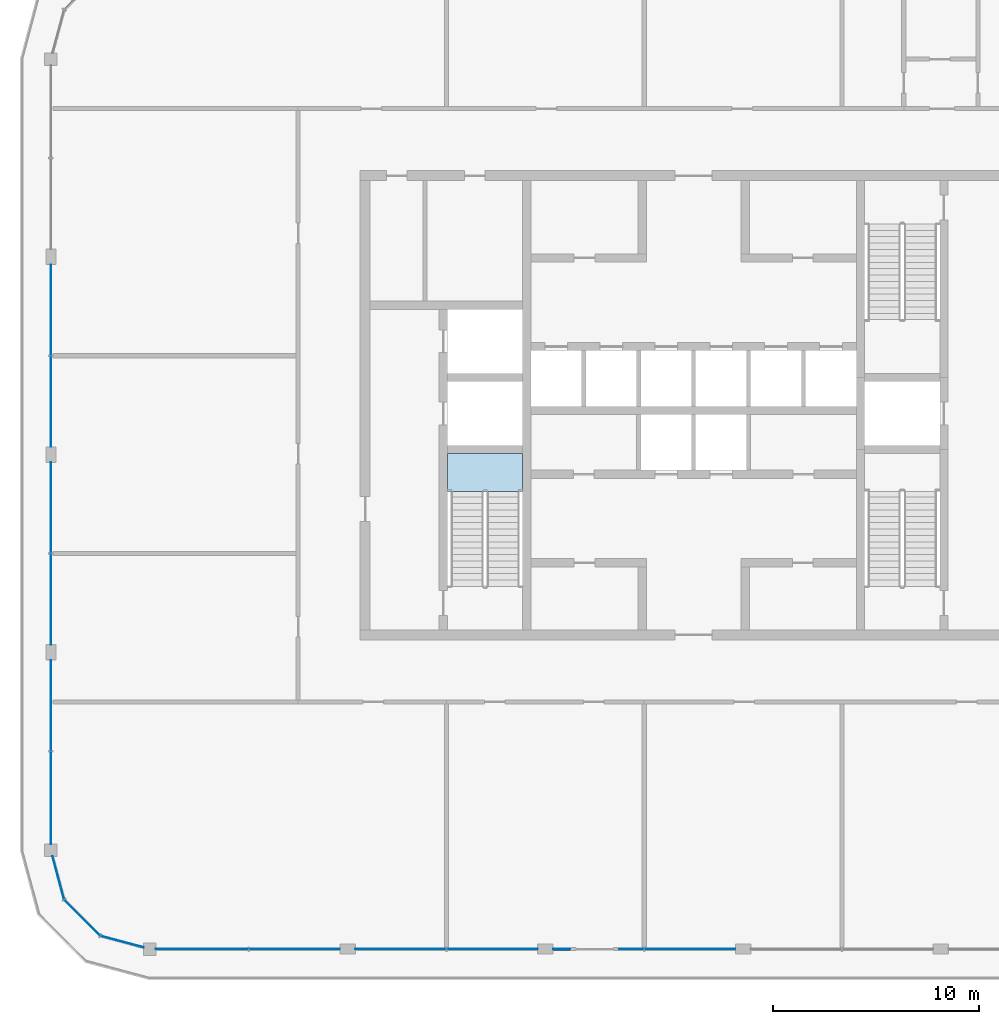
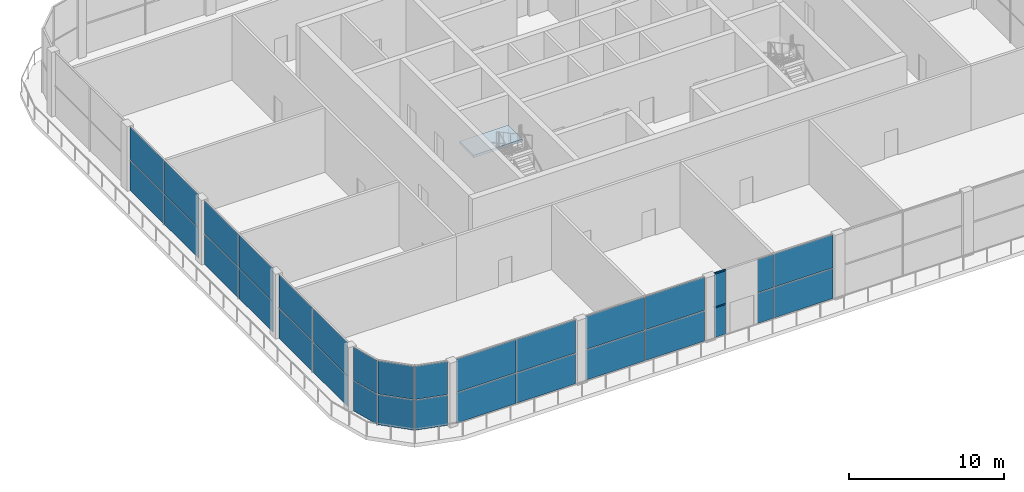
# One storey, part 7 of 15: 32 plates, 2 members, 1 slab, 8 elements without a shape of their own.
"""IFC4 building model written with IfcOpenShell, lengths in metres."""

from ifc_helpers import new_model, si_unit, direction, frame, origin, origin_2d, place, context, subcontext, project, spatial, polyline, rectangle, outline, extrude, material, layer, layer_set, material_profile, profile_set, type_object, element, aggregate, save


model = new_model("IFC4")

# Units and contexts
model_context = context("Model", 3, precision=1e-05, world=origin(), true_north=direction((0.0, 1.0)))
body_context = subcontext(model_context, "Body", "Model", "MODEL_VIEW")
ifc_project = project(units=[si_unit("LENGTHUNIT", "METRE"), si_unit("AREAUNIT", "SQUARE_METRE"), si_unit("VOLUMEUNIT", "CUBIC_METRE"), si_unit("PLANEANGLEUNIT", "RADIAN"), si_unit("MASSUNIT", "GRAM", prefix="KILO")], contexts=[model_context])

# Site, building, storey
site_placement = place(None, origin())
site = spatial("IfcSite", under=ifc_project, at=site_placement, CompositionType="ELEMENT")
building_placement = place(site_placement, origin())
building = spatial("IfcBuilding", under=site, at=building_placement, Name="Madar Terraces", CompositionType="ELEMENT")
storey_placement = place(building_placement, frame((0.0, 0.0, 286.10009765625)))
storey = spatial("IfcBuildingStorey", under=building, at=storey_placement, Name="L75", CompositionType="ELEMENT", Elevation=286.10009765625)

# Curtain wall, members
ifc_material_1 = material(Name="Glass, clear low-iron, with black aluminium frame", Category="aluminium")
ifc_layer_1 = layer(ifc_material_1, 0.199951171875)
ifc_layer_set_1 = layer_set([ifc_layer_1], Name="Facade curtain wall, observation glazing")
curtain_wall_type = type_object("IfcCurtainWallType", Name="Facade curtain wall, observation glazing", PredefinedType="NOTDEFINED", material=ifc_layer_set_1)
curtain_wall_1_placement = place(storey_placement, origin())
curtain_wall_1 = element("IfcCurtainWall", 1, at=curtain_wall_1_placement, inside=storey, type_object=curtain_wall_type, Name="Outer skin curtain wall south bay 3", PredefinedType="NOTDEFINED")
ifc_material_2 = material(Name="Aluminium, black anodised", Category="aluminium")
ifc_material_profile = material_profile(ifc_material_2, rectangle(XDim=0.1201171875, YDim=0.06005859375, at=origin_2d()), Name="Facade transom 60x120")
ifc_profile_set = profile_set([ifc_material_profile], Name="Aluminium, black anodised")
member_type = type_object("IfcMemberType", Name="Facade transom 60x120", PredefinedType="USERDEFINED", material=ifc_profile_set)
member_1_placement = place(storey_placement, frame((24.375, 0.0, 5.06982421875), z_axis=(1.0, 0.0, 0.0), x_axis=(0.0, 1.0, 0.0)))
member_1 = element("IfcMember", 2, at=member_1_placement, type_object=member_type, Name="Transom 1", ObjectType="TRANSOM", PredefinedType="USERDEFINED", context=body_context, shape_type="SweptSolid", body=[
    extrude(rectangle(XDim=0.1201171875, YDim=0.06005859375, at=origin_2d()), origin(), (0.0, 0.0, 1.0), 0.824951171875),
])
member_2_placement = place(storey_placement, frame((24.375, 0.0, 2.39990234375), z_axis=(1.0, 0.0, 0.0), x_axis=(0.0, 1.0, 0.0)))
member_2 = element("IfcMember", 3, at=member_2_placement, type_object=member_type, Name="Transom 2", ObjectType="TRANSOM", PredefinedType="USERDEFINED", context=body_context, shape_type="SweptSolid", body=[
    extrude(rectangle(XDim=0.1201171875, YDim=0.06005859375, at=origin_2d()), origin(), (0.0, 0.0, 1.0), 0.824951171875),
])

# Curtain wall, plates
curtain_wall_2_placement = place(storey_placement, origin())
curtain_wall_2 = element("IfcCurtainWall", 4, at=curtain_wall_2_placement, inside=storey, type_object=curtain_wall_type, Name="Outer skin curtain wall south bay 1", PredefinedType="NOTDEFINED")
ifc_material_3 = material(Name="Glass, ceramic frit dark grey", Category="glass")
ifc_layer_2 = layer(ifc_material_3, 0.028076171875)
ifc_layer_set_2 = layer_set([ifc_layer_2], Name="Facade glass panel 28")
plate_type = type_object("IfcPlateType", Name="Facade glass panel 28", PredefinedType="CURTAIN_PANEL", material=ifc_layer_set_2)
plate_1_placement = place(storey_placement, frame((7.3349609375, 0.0, -0.000244140625), z_axis=(0.0, 0.0, 1.0), x_axis=(1.0, 0.0, 0.0)))
plate_1 = element("IfcPlate", 5, at=plate_1_placement, type_object=plate_type, Name="Panel 1", PredefinedType="CURTAIN_PANEL", context=body_context, shape_type="SweptSolid", body=[
    extrude(rectangle(XDim=4.469970703125, YDim=0.028076171875, at=origin_2d()), origin(), (0.0, 0.0, 1.0), 2.3701171875),
])
plate_2_placement = place(storey_placement, frame((7.3349609375, 0.0, 2.4296875), z_axis=(0.0, 0.0, 1.0), x_axis=(1.0, 0.0, 0.0)))
plate_2 = element("IfcPlate", 6, at=plate_2_placement, type_object=plate_type, Name="Panel 2", PredefinedType="CURTAIN_PANEL", context=body_context, shape_type="SweptSolid", body=[
    extrude(rectangle(XDim=4.469970703125, YDim=0.028076171875, at=origin_2d()), origin(), (0.0, 0.0, 1.0), 2.610107421875),
])
plate_3_placement = place(storey_placement, frame((11.827392578125, 0.0, -0.000244140625), z_axis=(0.0, 0.0, 1.0), x_axis=(1.0, 0.0, 0.0)))
plate_3 = element("IfcPlate", 7, at=plate_3_placement, type_object=plate_type, Name="Panel 3", PredefinedType="CURTAIN_PANEL", context=body_context, shape_type="SweptSolid", body=[
    extrude(rectangle(XDim=4.39501953125, YDim=0.028076171875, at=origin_2d()), origin(), (0.0, 0.0, 1.0), 2.3701171875),
])
plate_4_placement = place(storey_placement, frame((11.827392578125, 0.0, 2.4296875), z_axis=(0.0, 0.0, 1.0), x_axis=(1.0, 0.0, 0.0)))
plate_4 = element("IfcPlate", 8, at=plate_4_placement, type_object=plate_type, Name="Panel 4", PredefinedType="CURTAIN_PANEL", context=body_context, shape_type="SweptSolid", body=[
    extrude(rectangle(XDim=4.39501953125, YDim=0.028076171875, at=origin_2d()), origin(), (0.0, 0.0, 1.0), 2.610107421875),
])
aggregate(curtain_wall_2, [plate_1, plate_2, plate_3, plate_4])

curtain_wall_3_placement = place(storey_placement, origin())
curtain_wall_3 = element("IfcCurtainWall", 9, at=curtain_wall_3_placement, inside=storey, type_object=curtain_wall_type, Name="Outer skin curtain wall south bay 2", PredefinedType="NOTDEFINED")
plate_5_placement = place(storey_placement, frame((16.972412109375, 0.0, -0.000244140625), z_axis=(0.0, 0.0, 1.0), x_axis=(1.0, 0.0, 0.0)))
plate_5 = element("IfcPlate", 10, at=plate_5_placement, type_object=plate_type, Name="Panel 1", PredefinedType="CURTAIN_PANEL", context=body_context, shape_type="SweptSolid", body=[
    extrude(rectangle(XDim=4.39501953125, YDim=0.028076171875, at=origin_2d()), origin(), (0.0, 0.0, 1.0), 2.3701171875),
])
plate_6_placement = place(storey_placement, frame((16.972412109375, 0.0, 2.4296875), z_axis=(0.0, 0.0, 1.0), x_axis=(1.0, 0.0, 0.0)))
plate_6 = element("IfcPlate", 11, at=plate_6_placement, type_object=plate_type, Name="Panel 2", PredefinedType="CURTAIN_PANEL", context=body_context, shape_type="SweptSolid", body=[
    extrude(rectangle(XDim=4.39501953125, YDim=0.028076171875, at=origin_2d()), origin(), (0.0, 0.0, 1.0), 2.610107421875),
])
plate_7_placement = place(storey_placement, frame((21.427490234375, 0.0, -0.000244140625), z_axis=(0.0, 0.0, 1.0), x_axis=(1.0, 0.0, 0.0)))
plate_7 = element("IfcPlate", 12, at=plate_7_placement, type_object=plate_type, Name="Panel 3", PredefinedType="CURTAIN_PANEL", context=body_context, shape_type="SweptSolid", body=[
    extrude(rectangle(XDim=4.39501953125, YDim=0.028076171875, at=origin_2d()), origin(), (0.0, 0.0, 1.0), 2.3701171875),
])
plate_8_placement = place(storey_placement, frame((21.427490234375, 0.0, 2.4296875), z_axis=(0.0, 0.0, 1.0), x_axis=(1.0, 0.0, 0.0)))
plate_8 = element("IfcPlate", 13, at=plate_8_placement, type_object=plate_type, Name="Panel 4", PredefinedType="CURTAIN_PANEL", context=body_context, shape_type="SweptSolid", body=[
    extrude(rectangle(XDim=4.39501953125, YDim=0.028076171875, at=origin_2d()), origin(), (0.0, 0.0, 1.0), 2.610107421875),
])
aggregate(curtain_wall_3, [plate_5, plate_6, plate_7, plate_8])

# Plate
plate_9_placement = place(storey_placement, frame((24.78759765625, 0.0, -0.000244140625), z_axis=(0.0, 0.0, 1.0), x_axis=(1.0, 0.0, 0.0)))
plate_9 = element("IfcPlate", 14, at=plate_9_placement, type_object=plate_type, Name="Panel 1", PredefinedType="CURTAIN_PANEL", context=body_context, shape_type="SweptSolid", body=[
    extrude(rectangle(XDim=0.824951171875, YDim=0.028076171875, at=origin_2d()), origin(), (0.0, 0.0, 1.0), 2.3701171875),
])

plate_10_placement = place(storey_placement, frame((24.78759765625, 0.0, 2.4296875), z_axis=(0.0, 0.0, 1.0), x_axis=(1.0, 0.0, 0.0)))
plate_10 = element("IfcPlate", 15, at=plate_10_placement, type_object=plate_type, Name="Panel 2", PredefinedType="CURTAIN_PANEL", context=body_context, shape_type="SweptSolid", body=[
    extrude(rectangle(XDim=0.824951171875, YDim=0.028076171875, at=origin_2d()), origin(), (0.0, 0.0, 1.0), 2.610107421875),
])

plate_11_placement = place(storey_placement, frame((28.18505859375, 0.0, -0.000244140625), z_axis=(0.0, 0.0, 1.0), x_axis=(1.0, 0.0, 0.0)))
plate_11 = element("IfcPlate", 16, at=plate_11_placement, type_object=plate_type, Name="Panel 3", PredefinedType="CURTAIN_PANEL", context=body_context, shape_type="SweptSolid", body=[
    extrude(rectangle(XDim=1.169921875, YDim=0.028076171875, at=origin_2d()), origin(), (0.0, 0.0, 1.0), 2.3701171875),
])

plate_12_placement = place(storey_placement, frame((28.18505859375, 0.0, 2.4296875), z_axis=(0.0, 0.0, 1.0), x_axis=(1.0, 0.0, 0.0)))
plate_12 = element("IfcPlate", 17, at=plate_12_placement, type_object=plate_type, Name="Panel 4", PredefinedType="CURTAIN_PANEL", context=body_context, shape_type="SweptSolid", body=[
    extrude(rectangle(XDim=1.169921875, YDim=0.028076171875, at=origin_2d()), origin(), (0.0, 0.0, 1.0), 2.610107421875),
])

plate_13_placement = place(storey_placement, frame((31.027587890625, 0.0, -0.000244140625), z_axis=(0.0, 0.0, 1.0), x_axis=(1.0, 0.0, 0.0)))
plate_13 = element("IfcPlate", 18, at=plate_13_placement, type_object=plate_type, Name="Panel 5", PredefinedType="CURTAIN_PANEL", context=body_context, shape_type="SweptSolid", body=[
    extrude(rectangle(XDim=4.39501953125, YDim=0.028076171875, at=origin_2d()), origin(), (0.0, 0.0, 1.0), 2.3701171875),
])

plate_14_placement = place(storey_placement, frame((31.027587890625, 0.0, 2.4296875), z_axis=(0.0, 0.0, 1.0), x_axis=(1.0, 0.0, 0.0)))
plate_14 = element("IfcPlate", 19, at=plate_14_placement, type_object=plate_type, Name="Panel 6", PredefinedType="CURTAIN_PANEL", context=body_context, shape_type="SweptSolid", body=[
    extrude(rectangle(XDim=4.39501953125, YDim=0.028076171875, at=origin_2d()), origin(), (0.0, 0.0, 1.0), 2.610107421875),
])

aggregate(curtain_wall_1, [member_1, member_2, plate_9, plate_10, plate_11, plate_12, plate_13, plate_14])

# Curtain wall, plates
curtain_wall_4_placement = place(storey_placement, origin())
curtain_wall_4 = element("IfcCurtainWall", 20, at=curtain_wall_4_placement, inside=storey, type_object=curtain_wall_type, Name="Outer skin curtain wall west bay 2", PredefinedType="NOTDEFINED")
plate_15_placement = place(storey_placement, frame((0.0, 31.027587890625, -0.000244140625), z_axis=(0.0, 0.0, 1.0), x_axis=(0.0, -1.0, 0.0)))
plate_15 = element("IfcPlate", 21, at=plate_15_placement, type_object=plate_type, Name="Panel 1", PredefinedType="CURTAIN_PANEL", context=body_context, shape_type="SweptSolid", body=[
    extrude(rectangle(XDim=4.39501953125, YDim=0.028076171875, at=origin_2d()), origin(), (0.0, 0.0, 1.0), 2.3701171875),
])
plate_16_placement = place(storey_placement, frame((0.0, 31.027587890625, 2.4296875), z_axis=(0.0, 0.0, 1.0), x_axis=(0.0, -1.0, 0.0)))
plate_16 = element("IfcPlate", 22, at=plate_16_placement, type_object=plate_type, Name="Panel 2", PredefinedType="CURTAIN_PANEL", context=body_context, shape_type="SweptSolid", body=[
    extrude(rectangle(XDim=4.39501953125, YDim=0.028076171875, at=origin_2d()), origin(), (0.0, 0.0, 1.0), 2.610107421875),
])
plate_17_placement = place(storey_placement, frame((0.0, 26.572509765625, -0.000244140625), z_axis=(0.0, 0.0, 1.0), x_axis=(0.0, -1.0, 0.0)))
plate_17 = element("IfcPlate", 23, at=plate_17_placement, type_object=plate_type, Name="Panel 3", PredefinedType="CURTAIN_PANEL", context=body_context, shape_type="SweptSolid", body=[
    extrude(rectangle(XDim=4.39501953125, YDim=0.028076171875, at=origin_2d()), origin(), (0.0, 0.0, 1.0), 2.3701171875),
])
plate_18_placement = place(storey_placement, frame((0.0, 26.572509765625, 2.4296875), z_axis=(0.0, 0.0, 1.0), x_axis=(0.0, -1.0, 0.0)))
plate_18 = element("IfcPlate", 24, at=plate_18_placement, type_object=plate_type, Name="Panel 4", PredefinedType="CURTAIN_PANEL", context=body_context, shape_type="SweptSolid", body=[
    extrude(rectangle(XDim=4.39501953125, YDim=0.028076171875, at=origin_2d()), origin(), (0.0, 0.0, 1.0), 2.610107421875),
])
aggregate(curtain_wall_4, [plate_15, plate_16, plate_17, plate_18])

curtain_wall_5_placement = place(storey_placement, origin())
curtain_wall_5 = element("IfcCurtainWall", 25, at=curtain_wall_5_placement, inside=storey, type_object=curtain_wall_type, Name="Outer skin curtain wall west bay 3", PredefinedType="NOTDEFINED")
plate_19_placement = place(storey_placement, frame((0.0, 21.427490234375, -0.000244140625), z_axis=(0.0, 0.0, 1.0), x_axis=(0.0, -1.0, 0.0)))
plate_19 = element("IfcPlate", 26, at=plate_19_placement, type_object=plate_type, Name="Panel 1", PredefinedType="CURTAIN_PANEL", context=body_context, shape_type="SweptSolid", body=[
    extrude(rectangle(XDim=4.39501953125, YDim=0.028076171875, at=origin_2d()), origin(), (0.0, 0.0, 1.0), 2.3701171875),
])
plate_20_placement = place(storey_placement, frame((0.0, 21.427490234375, 2.4296875), z_axis=(0.0, 0.0, 1.0), x_axis=(0.0, -1.0, 0.0)))
plate_20 = element("IfcPlate", 27, at=plate_20_placement, type_object=plate_type, Name="Panel 2", PredefinedType="CURTAIN_PANEL", context=body_context, shape_type="SweptSolid", body=[
    extrude(rectangle(XDim=4.39501953125, YDim=0.028076171875, at=origin_2d()), origin(), (0.0, 0.0, 1.0), 2.610107421875),
])
plate_21_placement = place(storey_placement, frame((0.0, 16.972412109375, -0.000244140625), z_axis=(0.0, 0.0, 1.0), x_axis=(0.0, -1.0, 0.0)))
plate_21 = element("IfcPlate", 28, at=plate_21_placement, type_object=plate_type, Name="Panel 3", PredefinedType="CURTAIN_PANEL", context=body_context, shape_type="SweptSolid", body=[
    extrude(rectangle(XDim=4.39501953125, YDim=0.028076171875, at=origin_2d()), origin(), (0.0, 0.0, 1.0), 2.3701171875),
])
plate_22_placement = place(storey_placement, frame((0.0, 16.972412109375, 2.4296875), z_axis=(0.0, 0.0, 1.0), x_axis=(0.0, -1.0, 0.0)))
plate_22 = element("IfcPlate", 29, at=plate_22_placement, type_object=plate_type, Name="Panel 4", PredefinedType="CURTAIN_PANEL", context=body_context, shape_type="SweptSolid", body=[
    extrude(rectangle(XDim=4.39501953125, YDim=0.028076171875, at=origin_2d()), origin(), (0.0, 0.0, 1.0), 2.610107421875),
])
aggregate(curtain_wall_5, [plate_19, plate_20, plate_21, plate_22])

curtain_wall_6_placement = place(storey_placement, origin())
curtain_wall_6 = element("IfcCurtainWall", 30, at=curtain_wall_6_placement, inside=storey, type_object=curtain_wall_type, Name="Outer skin curtain wall west bay 4", PredefinedType="NOTDEFINED")
plate_23_placement = place(storey_placement, frame((0.0, 11.827392578125, -0.000244140625), z_axis=(0.0, 0.0, 1.0), x_axis=(0.0, -1.0, 0.0)))
plate_23 = element("IfcPlate", 31, at=plate_23_placement, type_object=plate_type, Name="Panel 1", PredefinedType="CURTAIN_PANEL", context=body_context, shape_type="SweptSolid", body=[
    extrude(rectangle(XDim=4.39501953125, YDim=0.028076171875, at=origin_2d()), origin(), (0.0, 0.0, 1.0), 2.3701171875),
])
plate_24_placement = place(storey_placement, frame((0.0, 11.827392578125, 2.4296875), z_axis=(0.0, 0.0, 1.0), x_axis=(0.0, -1.0, 0.0)))
plate_24 = element("IfcPlate", 32, at=plate_24_placement, type_object=plate_type, Name="Panel 2", PredefinedType="CURTAIN_PANEL", context=body_context, shape_type="SweptSolid", body=[
    extrude(rectangle(XDim=4.39501953125, YDim=0.028076171875, at=origin_2d()), origin(), (0.0, 0.0, 1.0), 2.610107421875),
])
plate_25_placement = place(storey_placement, frame((0.0, 7.3349609375, -0.000244140625), z_axis=(0.0, 0.0, 1.0), x_axis=(0.0, -1.0, 0.0)))
plate_25 = element("IfcPlate", 33, at=plate_25_placement, type_object=plate_type, Name="Panel 3", PredefinedType="CURTAIN_PANEL", context=body_context, shape_type="SweptSolid", body=[
    extrude(rectangle(XDim=4.469970703125, YDim=0.028076171875, at=origin_2d()), origin(), (0.0, 0.0, 1.0), 2.3701171875),
])
plate_26_placement = place(storey_placement, frame((0.0, 7.3349609375, 2.4296875), z_axis=(0.0, 0.0, 1.0), x_axis=(0.0, -1.0, 0.0)))
plate_26 = element("IfcPlate", 34, at=plate_26_placement, type_object=plate_type, Name="Panel 4", PredefinedType="CURTAIN_PANEL", context=body_context, shape_type="SweptSolid", body=[
    extrude(rectangle(XDim=4.469970703125, YDim=0.028076171875, at=origin_2d()), origin(), (0.0, 0.0, 1.0), 2.610107421875),
])
aggregate(curtain_wall_6, [plate_23, plate_24, plate_25, plate_26])

curtain_wall_7_placement = place(storey_placement, origin())
curtain_wall_7 = element("IfcCurtainWall", 35, at=curtain_wall_7_placement, inside=storey, type_object=curtain_wall_type, Name="Outer skin curtain wall south-west corner", PredefinedType="NOTDEFINED")
plate_27_placement = place(storey_placement, frame((0.35791015625, 3.464599609375, -0.000244140625), z_axis=(0.0, 0.0, 1.0), x_axis=(0.258819021888, -0.965925832509, 0.0)))
plate_27 = element("IfcPlate", 36, at=plate_27_placement, type_object=plate_type, Name="Panel 1", PredefinedType="CURTAIN_PANEL", context=body_context, shape_type="SweptSolid", body=[
    extrude(rectangle(XDim=2.14404296875, YDim=0.028076171875, at=origin_2d()), origin(), (0.0, 0.0, 1.0), 2.3701171875),
])
plate_28_placement = place(storey_placement, frame((0.35791015625, 3.464599609375, 2.4296875), z_axis=(0.0, 0.0, 1.0), x_axis=(0.258819021888, -0.965925832509, 0.0)))
plate_28 = element("IfcPlate", 37, at=plate_28_placement, type_object=plate_type, Name="Panel 2", PredefinedType="CURTAIN_PANEL", context=body_context, shape_type="SweptSolid", body=[
    extrude(rectangle(XDim=2.14404296875, YDim=0.028076171875, at=origin_2d()), origin(), (0.0, 0.0, 1.0), 2.610107421875),
])
plate_29_placement = place(storey_placement, frame((1.521484375, 1.521484375, -0.000244140625), z_axis=(0.0, 0.0, 1.0), x_axis=(0.707106781187, -0.707106781187, 0.0)))
plate_29 = element("IfcPlate", 38, at=plate_29_placement, type_object=plate_type, Name="Panel 3", PredefinedType="CURTAIN_PANEL", context=body_context, shape_type="SweptSolid", body=[
    extrude(rectangle(XDim=2.424560546875, YDim=0.028076171875, at=origin_2d()), origin(), (0.0, 0.0, 1.0), 2.3701171875),
])
plate_30_placement = place(storey_placement, frame((1.521484375, 1.521484375, 2.4296875), z_axis=(0.0, 0.0, 1.0), x_axis=(0.707106781187, -0.707106781187, 0.0)))
plate_30 = element("IfcPlate", 39, at=plate_30_placement, type_object=plate_type, Name="Panel 4", PredefinedType="CURTAIN_PANEL", context=body_context, shape_type="SweptSolid", body=[
    extrude(rectangle(XDim=2.424560546875, YDim=0.028076171875, at=origin_2d()), origin(), (0.0, 0.0, 1.0), 2.610107421875),
])
plate_31_placement = place(storey_placement, frame((3.464599609375, 0.35791015625, -0.000244140625), z_axis=(0.0, 0.0, 1.0), x_axis=(0.965925832509, -0.258819021888, 0.0)))
plate_31 = element("IfcPlate", 40, at=plate_31_placement, type_object=plate_type, Name="Panel 5", PredefinedType="CURTAIN_PANEL", context=body_context, shape_type="SweptSolid", body=[
    extrude(rectangle(XDim=2.14404296875, YDim=0.028076171875, at=origin_2d()), origin(), (0.0, 0.0, 1.0), 2.3701171875),
])
plate_32_placement = place(storey_placement, frame((3.464599609375, 0.35791015625, 2.4296875), z_axis=(0.0, 0.0, 1.0), x_axis=(0.965925832509, -0.258819021888, 0.0)))
plate_32 = element("IfcPlate", 41, at=plate_32_placement, type_object=plate_type, Name="Panel 6", PredefinedType="CURTAIN_PANEL", context=body_context, shape_type="SweptSolid", body=[
    extrude(rectangle(XDim=2.14404296875, YDim=0.028076171875, at=origin_2d()), origin(), (0.0, 0.0, 1.0), 2.610107421875),
])
aggregate(curtain_wall_7, [plate_27, plate_28, plate_29, plate_30, plate_31, plate_32])

# Stair, slab
ifc_material_4 = material(Name="Concrete C50/60", Category="concrete")
stair_type = type_object("IfcStairType", Name="Stair ST1 protected exit", PredefinedType="HALF_TURN_STAIR", material=ifc_material_4)
stair_placement = place(storey_placement, origin())
stair = element("IfcStair", 42, at=stair_placement, inside=storey, type_object=stair_type, Name="L75 Protected Exit Stair ST1", PredefinedType="HALF_TURN_STAIR")
ifc_material_5 = material(Name="Concrete C50/60", Category="concrete")
ifc_layer_3 = layer(ifc_material_5, 0.199951171875)
ifc_layer_set_3 = layer_set([ifc_layer_3], Name="Stair landing 200, top +2.70")
slab_type = type_object("IfcSlabType", Name="Stair landing 200, top +2.70", PredefinedType="LANDING", material=ifc_layer_set_3)
slab_placement = place(storey_placement, frame((0.0, 0.0, 2.5)))
slab = element("IfcSlab", 43, at=slab_placement, type_object=slab_type, Name="ST1 landing 1", PredefinedType="LANDING", context=body_context, shape_type="SweptSolid", body=[
    extrude(outline(polyline([(19.25, 22.219970703125), (22.89990234375, 22.219970703125), (22.89990234375, 24.050048828125), (19.25, 24.050048828125), (19.25, 22.219970703125)])), origin(), (0.0, 0.0, 1.0), 0.199951171875),
])
aggregate(stair, [slab])

save(model, "model.ifc")
